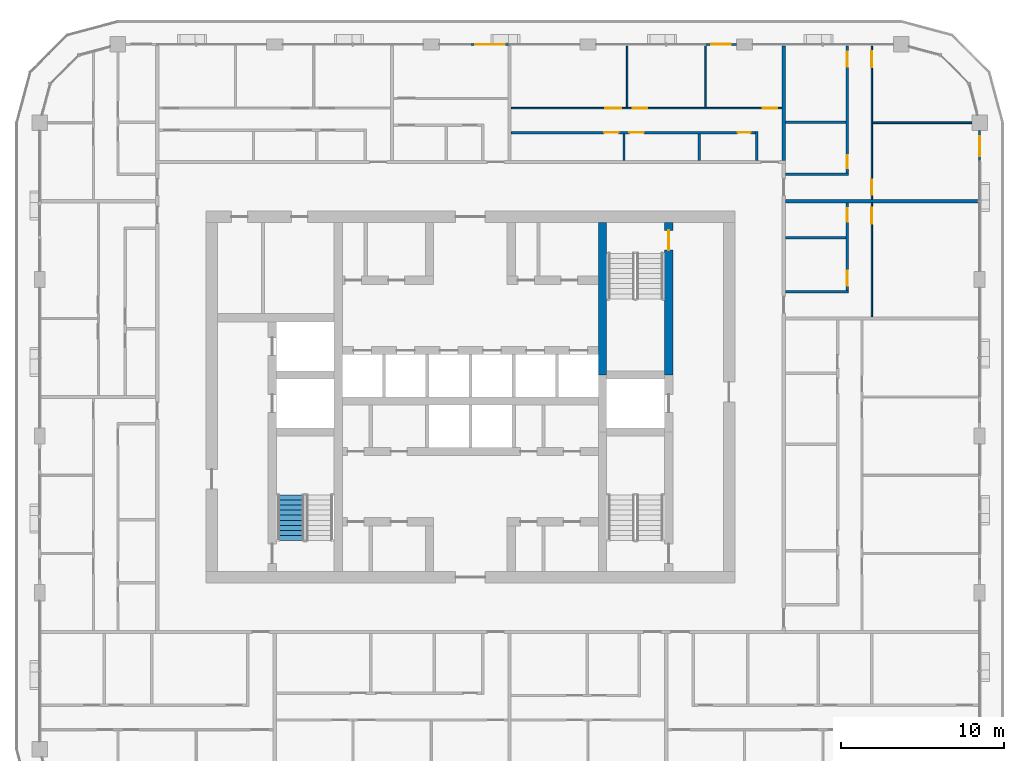
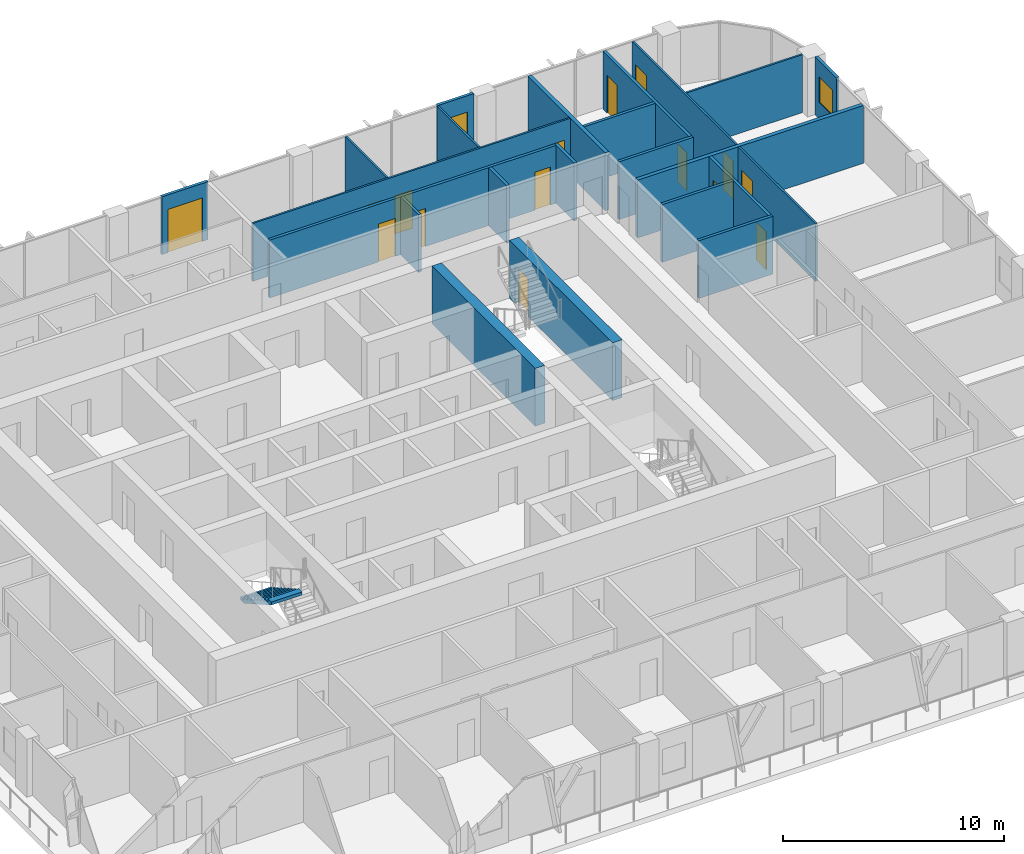
# One storey, part 15 of 22: 23 walls, 15 doors, 2 windows, 1 stair flight, 17 openings, 1 element without a shape of its own.
"""IFC4 building model written with IfcOpenShell, lengths in metres."""

from ifc_helpers import new_model, si_unit, direction, frame, frame_2d, origin, place, context, subcontext, project, spatial, polyline, rectangle, outline, extrude, material, layer, layer_set, type_object, element, fill, aggregate, save


model = new_model("IFC4")

# Units and contexts
model_context = context("Model", 3, precision=1e-05, world=origin(), true_north=direction((0.0, 1.0)))
body_context = subcontext(model_context, "Body", "Model", "MODEL_VIEW")
ifc_project = project(units=[si_unit("LENGTHUNIT", "METRE"), si_unit("AREAUNIT", "SQUARE_METRE"), si_unit("VOLUMEUNIT", "CUBIC_METRE"), si_unit("PLANEANGLEUNIT", "RADIAN"), si_unit("MASSUNIT", "GRAM", prefix="KILO")], contexts=[model_context])

# Site, building, storey
site_placement = place(None, origin())
site = spatial("IfcSite", under=ifc_project, at=site_placement, CompositionType="ELEMENT")
building_placement = place(site_placement, origin())
building = spatial("IfcBuilding", under=site, at=building_placement, Name="Madar Terraces", CompositionType="ELEMENT")
storey_placement = place(building_placement, frame((0.0, 0.0, 178.89990234375)))
storey = spatial("IfcBuildingStorey", under=building, at=storey_placement, Name="L46", CompositionType="ELEMENT", Elevation=178.89990234375)

# Wall
ifc_material_1 = material(Name="Concrete C60/75", Category="concrete")
ifc_layer_1 = layer(ifc_material_1, 0.5)
ifc_layer_set_1 = layer_set([ifc_layer_1], Name="Concrete C60/75 (CIW4 RC wall 500)")
wall_type_1 = type_object("IfcWallType", Name="CIW4 RC wall 500", PredefinedType="SHEAR", material=ifc_layer_set_1)
wall_1_placement = place(storey_placement, frame((39.300048828125, 27.75, 0.0), z_axis=(0.0, 0.0, 1.0), x_axis=(0.0, 1.0, 0.0)))
element("IfcWall", 1, at=wall_1_placement, inside=storey, type_object=wall_type_1, Name="CORE SHAFT WALL", PredefinedType="SHEAR", context=body_context, shape_type="SweptSolid", body=[
    extrude(rectangle(XDim=9.35009765625, YDim=0.5, at=frame_2d((4.675048828125, 0.0))), origin(), (0.0, 0.0, 1.0), 3.2001953125),
])

# Wall, opening, door
wall_2_placement = place(storey_placement, frame((43.35009765625, 27.75, 0.0), z_axis=(0.0, 0.0, 1.0), x_axis=(0.0, 1.0, 0.0)))
wall_2 = element("IfcWall", 2, at=wall_2_placement, inside=storey, type_object=wall_type_1, Name="CORE SHAFT WALL", PredefinedType="SHEAR", context=body_context, shape_type="SweptSolid", body=[
    extrude(rectangle(XDim=9.35009765625, YDim=0.5, at=frame_2d((4.675048828125, 0.0))), origin(), (0.0, 0.0, 1.0), 3.2001953125),
])
opening_1_placement = place(wall_2_placement, frame((7.64990234375, 0.0, 0.0)))
opening_1 = element("IfcOpeningElement", 3, at=opening_1_placement, cuts=wall_2, Name="Opening SD1", PredefinedType="OPENING", context=body_context, shape_type="SweptSolid", body=[
    extrude(rectangle(XDim=1.199951171875, YDim=2.10009765625, at=frame_2d((0.60009765625, 1.050048828125))), frame((0.0, 0.260009765625, 0.0), z_axis=(0.0, -1.0, 0.0), x_axis=(1.0, 0.0, 0.0)), (0.0, 0.0, 1.0), 0.52001953125),
])
ifc_material_2 = material(Name="Steel door leaf", Category="steel")
door_type_1 = type_object("IfcDoorType", Name="Stair door 1200 x 2100", OperationType="NOTDEFINED", PredefinedType="DOOR", material=ifc_material_2)
door_1_placement = place(opening_1_placement, origin())
door_1 = element("IfcDoor", 4, at=door_1_placement, inside=storey, type_object=door_type_1, Name="STAIR DOOR", OperationType="SINGLE_SWING_RIGHT", OverallHeight=2.10009765625, OverallWidth=1.199951171875, PredefinedType="DOOR", context=body_context, shape_type="SweptSolid", body=[
    extrude(rectangle(XDim=1.199951171875, YDim=2.10009765625, at=frame_2d((0.60009765625, 1.050048828125))), frame((0.0, 0.02490234375, 0.0), z_axis=(0.0, -1.0, 0.0), x_axis=(1.0, 0.0, 0.0)), (0.0, 0.0, 1.0), 0.050048828125),
])
fill(opening_1, door_1)

# Wall, opening, window
ifc_material_3 = material(Name="Aluminium composite panel, black, over insulated backing", Category="aluminium")
ifc_layer_2 = layer(ifc_material_3, 0.14990234375)
ifc_layer_set_2 = layer_set([ifc_layer_2], Name="Facade bay panel 150")
wall_type_2 = type_object("IfcWallType", Name="Facade bay panel 150", PredefinedType="SOLIDWALL", material=ifc_layer_set_2)
wall_3_placement = place(storey_placement, frame((62.39990234375, 40.800048828125, 0.0), z_axis=(0.0, 0.0, 1.0), x_axis=(0.0, 1.0, 0.0)))
wall_3 = element("IfcWall", 5, at=wall_3_placement, inside=storey, type_object=wall_type_2, Name="Facade bay panel", PredefinedType="SOLIDWALL", context=body_context, shape_type="SweptSolid", body=[
    extrude(rectangle(XDim=1.925048828125, YDim=0.14990234375, at=frame_2d((0.96240234375, 0.0))), origin(), (0.0, 0.0, 1.0), 3.2001953125),
])
opening_2_placement = place(wall_3_placement, frame((0.362548828125, 0.0, 0.89990234375)))
opening_2 = element("IfcOpeningElement", 6, at=opening_2_placement, cuts=wall_3, Name="Opening W1", PredefinedType="OPENING", context=body_context, shape_type="SweptSolid", body=[
    extrude(rectangle(XDim=1.199951171875, YDim=1.39990234375, at=frame_2d((0.60009765625, 0.699951171875))), frame((0.0, 0.0849609375, 0.0), z_axis=(0.0, -1.0, 0.0), x_axis=(1.0, 0.0, 0.0)), (0.0, 0.0, 1.0), 0.169921875),
])
ifc_material_4 = material(Name="Glass, clear, with black aluminium frame", Category="aluminium")
window_type = type_object("IfcWindowType", Name="Vent window 1200 x 1400", PartitioningType="SINGLE_PANEL", PredefinedType="WINDOW", material=ifc_material_4)
window_1_placement = place(opening_2_placement, origin())
window_1 = element("IfcWindow", 7, at=window_1_placement, inside=storey, type_object=window_type, Name="Operable vent window", OverallHeight=1.39990234375, OverallWidth=1.199951171875, PartitioningType="SINGLE_PANEL", PredefinedType="WINDOW", context=body_context, shape_type="SweptSolid", body=[
    extrude(rectangle(XDim=1.199951171875, YDim=1.39990234375, at=frame_2d((0.60009765625, 0.699951171875))), frame((0.0, 0.030029296875, 0.0), z_axis=(0.0, -1.0, 0.0), x_axis=(1.0, 0.0, 0.0)), (0.0, 0.0, 1.0), 0.06005859375),
])
fill(opening_2, window_1)

wall_4_placement = place(storey_placement, frame((47.5, 48.0, 0.0), z_axis=(0.0, 0.0, 1.0), x_axis=(-1.0, 0.0, 0.0)))
wall_4 = element("IfcWall", 8, at=wall_4_placement, inside=storey, type_object=wall_type_2, Name="Facade bay panel", PredefinedType="SOLIDWALL", context=body_context, shape_type="SweptSolid", body=[
    extrude(rectangle(XDim=1.89990234375, YDim=0.14990234375, at=frame_2d((0.949951171875, 0.0))), origin(), (0.0, 0.0, 1.0), 3.2001953125),
])
opening_3_placement = place(wall_4_placement, frame((0.35009765625, 0.0, 0.89990234375)))
opening_3 = element("IfcOpeningElement", 9, at=opening_3_placement, cuts=wall_4, Name="Opening W1", PredefinedType="OPENING", context=body_context, shape_type="SweptSolid", body=[
    extrude(rectangle(XDim=1.199951171875, YDim=1.39990234375, at=frame_2d((0.60009765625, 0.699951171875))), frame((0.0, 0.0849609375, 0.0), z_axis=(0.0, -1.0, 0.0), x_axis=(1.0, 0.0, 0.0)), (0.0, 0.0, 1.0), 0.169921875),
])
window_2_placement = place(opening_3_placement, origin())
window_2 = element("IfcWindow", 10, at=window_2_placement, inside=storey, type_object=window_type, Name="Operable vent window", OverallHeight=1.39990234375, OverallWidth=1.199951171875, PartitioningType="SINGLE_PANEL", PredefinedType="WINDOW", context=body_context, shape_type="SweptSolid", body=[
    extrude(rectangle(XDim=1.199951171875, YDim=1.39990234375, at=frame_2d((0.60009765625, 0.699951171875))), frame((0.0, 0.030029296875, 0.0), z_axis=(0.0, -1.0, 0.0), x_axis=(1.0, 0.0, 0.0)), (0.0, 0.0, 1.0), 0.06005859375),
])
fill(opening_3, window_2)

# Wall, opening, door
wall_5_placement = place(storey_placement, frame((33.60009765625, 48.0, 0.0), z_axis=(0.0, 0.0, 1.0), x_axis=(-1.0, 0.0, 0.0)))
wall_5 = element("IfcWall", 11, at=wall_5_placement, inside=storey, type_object=wall_type_2, Name="Facade bay panel", PredefinedType="SOLIDWALL", context=body_context, shape_type="SweptSolid", body=[
    extrude(rectangle(XDim=2.400146484375, YDim=0.14990234375, at=frame_2d((1.2001953125, 0.0))), origin(), (0.0, 0.0, 1.0), 3.2001953125),
])
opening_4_placement = place(wall_5_placement, frame((0.300048828125, 0.0, 0.0)))
opening_4 = element("IfcOpeningElement", 12, at=opening_4_placement, cuts=wall_5, Name="Opening ED1", PredefinedType="OPENING", context=body_context, shape_type="SweptSolid", body=[
    extrude(rectangle(XDim=1.800048828125, YDim=2.39990234375, at=frame_2d((0.89990234375, 1.199951171875))), frame((0.0, 0.0849609375, 0.0), z_axis=(0.0, -1.0, 0.0), x_axis=(1.0, 0.0, 0.0)), (0.0, 0.0, 1.0), 0.169921875),
])
ifc_material_5 = material(Name="Glass, clear, with black aluminium frame", Category="aluminium")
door_type_2 = type_object("IfcDoorType", Name="Balcony and terrace sliding door 1800 x 2400", OperationType="SLIDING_TO_LEFT", PredefinedType="DOOR", material=ifc_material_5)
door_2_placement = place(opening_4_placement, origin())
door_2 = element("IfcDoor", 13, at=door_2_placement, inside=storey, type_object=door_type_2, Name="Balcony door", OperationType="SLIDING_TO_LEFT", OverallHeight=2.39990234375, OverallWidth=1.800048828125, PredefinedType="DOOR", context=body_context, shape_type="SweptSolid", body=[
    extrude(rectangle(XDim=1.800048828125, YDim=2.39990234375, at=frame_2d((0.89990234375, 1.199951171875))), frame((0.0, 0.02490234375, 0.0), z_axis=(0.0, -1.0, 0.0), x_axis=(1.0, 0.0, 0.0)), (0.0, 0.0, 1.0), 0.050048828125),
])
fill(opening_4, door_2)

ifc_material_6 = material(Name="Gypsum board on steel studs", Category="steel")
ifc_layer_3 = layer(ifc_material_6, 0.10009765625)
ifc_layer_set_3 = layer_set([ifc_layer_3], Name="Flat partition 100")
wall_type_3 = type_object("IfcWallType", Name="Flat partition 100", PredefinedType="PARTITIONING", material=ifc_layer_set_3)
wall_6_placement = place(storey_placement, frame((55.800048828125, 38.300048828125, 0.0), z_axis=(0.0, 0.0, 1.0), x_axis=(0.0, -1.0, 0.0)))
wall_6 = element("IfcWall", 14, at=wall_6_placement, inside=storey, type_object=wall_type_3, Name="Flat partition 100", PredefinedType="PARTITIONING", context=body_context, shape_type="SweptSolid", body=[
    extrude(rectangle(XDim=7.0, YDim=0.10009765625, at=frame_2d((3.5, 0.0))), origin(), (0.0, 0.0, 1.0), 3.2001953125),
])
opening_5_placement = place(wall_6_placement, frame((0.300048828125, 0.0, 0.0)))
opening_5 = element("IfcOpeningElement", 15, at=opening_5_placement, cuts=wall_6, Name="Opening D3", PredefinedType="OPENING", context=body_context, shape_type="SweptSolid", body=[
    extrude(rectangle(XDim=1.0, YDim=2.10009765625, at=frame_2d((0.5, 1.050048828125))), frame((0.0, 0.06005859375, 0.0), z_axis=(0.0, -1.0, 0.0), x_axis=(1.0, 0.0, 0.0)), (0.0, 0.0, 1.0), 0.1201171875),
])
ifc_material_7 = material(Name="Timber door leaf", Category="wood")
door_type_3 = type_object("IfcDoorType", Name="Flat living room door 1000", OperationType="NOTDEFINED", PredefinedType="DOOR", material=ifc_material_7)
door_3_placement = place(opening_5_placement, origin())
door_3 = element("IfcDoor", 16, at=door_3_placement, inside=storey, type_object=door_type_3, Name="Flat living room door 1000", OperationType="SINGLE_SWING_LEFT", OverallHeight=2.10009765625, OverallWidth=1.0, PredefinedType="DOOR", context=body_context, shape_type="SweptSolid", body=[
    extrude(rectangle(XDim=1.0, YDim=2.10009765625, at=frame_2d((0.5, 1.050048828125))), frame((0.0, 0.02490234375, 0.0), z_axis=(0.0, -1.0, 0.0), x_axis=(1.0, 0.0, 0.0)), (0.0, 0.0, 1.0), 0.050048828125),
])
fill(opening_5, door_3)

# Wall
wall_7_placement = place(storey_placement, frame((55.85009765625, 43.199951171875, 0.0), z_axis=(0.0, 0.0, 1.0), x_axis=(1.0, 0.0, 0.0)))
element("IfcWall", 17, at=wall_7_placement, inside=storey, type_object=wall_type_3, Name="Flat partition 100", PredefinedType="PARTITIONING", context=body_context, shape_type="SweptSolid", body=[
    extrude(rectangle(XDim=6.074951171875, YDim=0.10009765625, at=frame_2d((3.03759765625, 0.0))), origin(), (0.0, 0.0, 1.0), 3.2001953125),
])

# Wall, openings, doors
wall_8_placement = place(storey_placement, frame((55.800048828125, 47.89990234375, 0.0), z_axis=(0.0, 0.0, 1.0), x_axis=(0.0, -1.0, 0.0)))
wall_8 = element("IfcWall", 18, at=wall_8_placement, inside=storey, type_object=wall_type_3, Name="Flat partition 100", PredefinedType="PARTITIONING", context=body_context, shape_type="SweptSolid", body=[
    extrude(rectangle(XDim=9.39990234375, YDim=0.10009765625, at=frame_2d((4.699951171875, 0.0))), origin(), (0.0, 0.0, 1.0), 3.2001953125),
])
opening_6_placement = place(wall_8_placement, frame((8.199951171875, 0.0, 0.0)))
opening_6 = element("IfcOpeningElement", 19, at=opening_6_placement, cuts=wall_8, Name="Opening D2", PredefinedType="OPENING", context=body_context, shape_type="SweptSolid", body=[
    extrude(rectangle(XDim=0.89990234375, YDim=2.10009765625, at=frame_2d((0.449951171875, 1.050048828125))), frame((0.0, 0.06005859375, 0.0), z_axis=(0.0, -1.0, 0.0), x_axis=(1.0, 0.0, 0.0)), (0.0, 0.0, 1.0), 0.1201171875),
])
opening_7_placement = place(wall_8_placement, frame((0.300048828125, 0.0, 0.0)))
opening_7 = element("IfcOpeningElement", 20, at=opening_7_placement, cuts=wall_8, Name="Opening D3", PredefinedType="OPENING", context=body_context, shape_type="SweptSolid", body=[
    extrude(rectangle(XDim=1.0, YDim=2.10009765625, at=frame_2d((0.5, 1.050048828125))), frame((0.0, 0.06005859375, 0.0), z_axis=(0.0, -1.0, 0.0), x_axis=(1.0, 0.0, 0.0)), (0.0, 0.0, 1.0), 0.1201171875),
])
door_4_placement = place(opening_7_placement, origin())
door_4 = element("IfcDoor", 21, at=door_4_placement, inside=storey, type_object=door_type_3, Name="Flat living room door 1000", OperationType="SINGLE_SWING_LEFT", OverallHeight=2.10009765625, OverallWidth=1.0, PredefinedType="DOOR", context=body_context, shape_type="SweptSolid", body=[
    extrude(rectangle(XDim=1.0, YDim=2.10009765625, at=frame_2d((0.5, 1.050048828125))), frame((0.0, 0.02490234375, 0.0), z_axis=(0.0, -1.0, 0.0), x_axis=(1.0, 0.0, 0.0)), (0.0, 0.0, 1.0), 0.050048828125),
])
fill(opening_7, door_4)
ifc_material_8 = material(Name="Timber door leaf", Category="wood")
door_type_4 = type_object("IfcDoorType", Name="Flat room door 900", OperationType="NOTDEFINED", PredefinedType="DOOR", material=ifc_material_8)
door_5_placement = place(opening_6_placement, origin())
door_5 = element("IfcDoor", 22, at=door_5_placement, inside=storey, type_object=door_type_4, Name="Flat room door 900", OperationType="SINGLE_SWING_RIGHT", OverallHeight=2.10009765625, OverallWidth=0.89990234375, PredefinedType="DOOR", context=body_context, shape_type="SweptSolid", body=[
    extrude(rectangle(XDim=0.89990234375, YDim=2.10009765625, at=frame_2d((0.449951171875, 1.050048828125))), frame((0.0, 0.02490234375, 0.0), z_axis=(0.0, -1.0, 0.0), x_axis=(1.0, 0.0, 0.0)), (0.0, 0.0, 1.0), 0.050048828125),
])
fill(opening_6, door_5)

# Walls
for number, where, z_axis, x_axis, name in (
    (23, (45.60009765625, 44.14990234375, 0.0), (0.0, 0.0, 1.0), (0.0, 1.0, 0.0), "Flat partition 100"),
    (24, (40.800048828125, 44.14990234375, 0.0), (0.0, 0.0, 1.0), (0.0, 1.0, 0.0), "Flat partition 100"),
):
    element("IfcWall", number, at=place(storey_placement, frame(where, z_axis=z_axis, x_axis=x_axis)), inside=storey, type_object=wall_type_3, Name=name, PredefinedType="PARTITIONING", context=body_context, shape_type="SweptSolid", body=[
        extrude(rectangle(XDim=3.75, YDim=0.10009765625, at=frame_2d((1.875, 0.0))), origin(), (0.0, 0.0, 1.0), 3.2001953125),
    ])

# Wall, openings, doors
wall_9_placement = place(storey_placement, frame((33.699951171875, 44.10009765625, 0.0), z_axis=(0.0, 0.0, 1.0), x_axis=(1.0, 0.0, 0.0)))
wall_9 = element("IfcWall", 25, at=wall_9_placement, inside=storey, type_object=wall_type_3, Name="Flat partition 100", PredefinedType="PARTITIONING", context=body_context, shape_type="SweptSolid", body=[
    extrude(rectangle(XDim=16.60009765625, YDim=0.10009765625, at=frame_2d((8.300048828125, 0.0))), origin(), (0.0, 0.0, 1.0), 3.2001953125),
])
opening_8_placement = place(wall_9_placement, frame((15.39990234375, 0.0, 0.0)))
opening_8 = element("IfcOpeningElement", 26, at=opening_8_placement, cuts=wall_9, Name="Opening D2", PredefinedType="OPENING", context=body_context, shape_type="SweptSolid", body=[
    extrude(rectangle(XDim=0.89990234375, YDim=2.10009765625, at=frame_2d((0.449951171875, 1.050048828125))), frame((0.0, 0.06005859375, 0.0), z_axis=(0.0, -1.0, 0.0), x_axis=(1.0, 0.0, 0.0)), (0.0, 0.0, 1.0), 0.1201171875),
])
opening_9_placement = place(wall_9_placement, frame((7.449951171875, 0.0, 0.0)))
opening_9 = element("IfcOpeningElement", 27, at=opening_9_placement, cuts=wall_9, Name="Opening D2", PredefinedType="OPENING", context=body_context, shape_type="SweptSolid", body=[
    extrude(rectangle(XDim=0.89990234375, YDim=2.10009765625, at=frame_2d((0.449951171875, 1.050048828125))), frame((0.0, 0.06005859375, 0.0), z_axis=(0.0, -1.0, 0.0), x_axis=(1.0, 0.0, 0.0)), (0.0, 0.0, 1.0), 0.1201171875),
])
opening_10_placement = place(wall_9_placement, frame((5.75, 0.0, 0.0)))
opening_10 = element("IfcOpeningElement", 28, at=opening_10_placement, cuts=wall_9, Name="Opening D3", PredefinedType="OPENING", context=body_context, shape_type="SweptSolid", body=[
    extrude(rectangle(XDim=1.0, YDim=2.10009765625, at=frame_2d((0.5, 1.050048828125))), frame((0.0, 0.06005859375, 0.0), z_axis=(0.0, -1.0, 0.0), x_axis=(1.0, 0.0, 0.0)), (0.0, 0.0, 1.0), 0.1201171875),
])
door_6_placement = place(opening_10_placement, origin())
door_6 = element("IfcDoor", 29, at=door_6_placement, inside=storey, type_object=door_type_3, Name="Flat living room door 1000", OperationType="SINGLE_SWING_RIGHT", OverallHeight=2.10009765625, OverallWidth=1.0, PredefinedType="DOOR", context=body_context, shape_type="SweptSolid", body=[
    extrude(rectangle(XDim=1.0, YDim=2.10009765625, at=frame_2d((0.5, 1.050048828125))), frame((0.0, 0.02490234375, 0.0), z_axis=(0.0, -1.0, 0.0), x_axis=(1.0, 0.0, 0.0)), (0.0, 0.0, 1.0), 0.050048828125),
])
fill(opening_10, door_6)
door_7_placement = place(opening_8_placement, origin())
door_7 = element("IfcDoor", 30, at=door_7_placement, inside=storey, type_object=door_type_4, Name="Flat room door 900", OperationType="SINGLE_SWING_RIGHT", OverallHeight=2.10009765625, OverallWidth=0.89990234375, PredefinedType="DOOR", context=body_context, shape_type="SweptSolid", body=[
    extrude(rectangle(XDim=0.89990234375, YDim=2.10009765625, at=frame_2d((0.449951171875, 1.050048828125))), frame((0.0, 0.02490234375, 0.0), z_axis=(0.0, -1.0, 0.0), x_axis=(1.0, 0.0, 0.0)), (0.0, 0.0, 1.0), 0.050048828125),
])
fill(opening_8, door_7)
door_8_placement = place(opening_9_placement, origin())
door_8 = element("IfcDoor", 31, at=door_8_placement, inside=storey, type_object=door_type_4, Name="Flat room door 900", OperationType="SINGLE_SWING_LEFT", OverallHeight=2.10009765625, OverallWidth=0.89990234375, PredefinedType="DOOR", context=body_context, shape_type="SweptSolid", body=[
    extrude(rectangle(XDim=0.89990234375, YDim=2.10009765625, at=frame_2d((0.449951171875, 1.050048828125))), frame((0.0, 0.02490234375, 0.0), z_axis=(0.0, -1.0, 0.0), x_axis=(1.0, 0.0, 0.0)), (0.0, 0.0, 1.0), 0.050048828125),
])
fill(opening_9, door_8)

# Walls
ifc_material_9 = material(Name="Lightweight blockwork", Category="masonry")
ifc_layer_4 = layer(ifc_material_9, 0.199951171875)
ifc_layer_set_4 = layer_set([ifc_layer_4], Name="Flat party and entrance wall 200")
wall_type_4 = type_object("IfcWallType", Name="Flat party and entrance wall 200", PredefinedType="PARTITIONING", material=ifc_layer_set_4)
wall_10_placement = place(storey_placement, frame((50.5, 38.39990234375, 0.0), z_axis=(0.0, 0.0, 1.0), x_axis=(1.0, 0.0, 0.0)))
element("IfcWall", 32, at=wall_10_placement, inside=storey, type_object=wall_type_4, Name="Flat party and entrance wall 200", PredefinedType="PARTITIONING", context=body_context, shape_type="SweptSolid", body=[
    extrude(rectangle(XDim=11.800048828125, YDim=0.199951171875, at=frame_2d((5.89990234375, 0.0))), origin(), (0.0, 0.0, 1.0), 3.2001953125),
])
wall_11_placement = place(storey_placement, frame((50.39990234375, 40.89990234375, 0.0), z_axis=(0.0, 0.0, 1.0), x_axis=(0.0, 1.0, 0.0)))
element("IfcWall", 33, at=wall_11_placement, inside=storey, type_object=wall_type_4, Name="Flat party and entrance wall 200", PredefinedType="PARTITIONING", context=body_context, shape_type="SweptSolid", body=[
    extrude(rectangle(XDim=7.0, YDim=0.199951171875, at=frame_2d((3.5, 0.0))), origin(), (0.0, 0.0, 1.0), 3.2001953125),
])
ifc_material_10 = material(Name="Lightweight blockwork", Category="masonry")
ifc_layer_5 = layer(ifc_material_10, 0.14990234375)
ifc_layer_set_5 = layer_set([ifc_layer_5], Name="Flat wet-room partition 150")
wall_type_5 = type_object("IfcWallType", Name="Flat wet-room partition 150", PredefinedType="PARTITIONING", material=ifc_layer_set_5)
wall_12_placement = place(storey_placement, frame((50.5, 36.14990234375, 0.0), z_axis=(0.0, 0.0, 1.0), x_axis=(1.0, 0.0, 0.0)))
element("IfcWall", 34, at=wall_12_placement, inside=storey, type_object=wall_type_5, Name="Flat wet-room partition 150", PredefinedType="PARTITIONING", context=body_context, shape_type="SweptSolid", body=[
    extrude(rectangle(XDim=3.72509765625, YDim=0.14990234375, at=frame_2d((1.862548828125, 0.0))), origin(), (0.0, 0.0, 1.0), 3.2001953125),
])
wall_13_placement = place(storey_placement, frame((50.5, 32.85009765625, 0.0), z_axis=(0.0, 0.0, 1.0), x_axis=(1.0, 0.0, 0.0)))
element("IfcWall", 35, at=wall_13_placement, inside=storey, type_object=wall_type_5, Name="Flat wet-room partition 150", PredefinedType="PARTITIONING", context=body_context, shape_type="SweptSolid", body=[
    extrude(rectangle(XDim=3.875, YDim=0.14990234375, at=frame_2d((1.9375, 0.0))), origin(), (0.0, 0.0, 1.0), 3.2001953125),
])

# Wall, openings, doors
wall_14_placement = place(storey_placement, frame((54.300048828125, 32.925048828125, 0.0), z_axis=(0.0, 0.0, 1.0), x_axis=(0.0, 1.0, 0.0)))
wall_14 = element("IfcWall", 36, at=wall_14_placement, inside=storey, type_object=wall_type_5, Name="Flat wet-room partition 150", PredefinedType="PARTITIONING", context=body_context, shape_type="SweptSolid", body=[
    extrude(rectangle(XDim=5.375, YDim=0.14990234375, at=frame_2d((2.6875, 0.0))), origin(), (0.0, 0.0, 1.0), 3.2001953125),
])
opening_11_placement = place(wall_14_placement, frame((0.300048828125, 0.0, 0.0)))
opening_11 = element("IfcOpeningElement", 37, at=opening_11_placement, cuts=wall_14, Name="Opening D2", PredefinedType="OPENING", context=body_context, shape_type="SweptSolid", body=[
    extrude(rectangle(XDim=0.89990234375, YDim=2.10009765625, at=frame_2d((0.449951171875, 1.050048828125))), frame((0.0, 0.0849609375, 0.0), z_axis=(0.0, -1.0, 0.0), x_axis=(1.0, 0.0, 0.0)), (0.0, 0.0, 1.0), 0.169921875),
])
opening_12_placement = place(wall_14_placement, frame((4.22509765625, 0.0, 0.0)))
opening_12 = element("IfcOpeningElement", 38, at=opening_12_placement, cuts=wall_14, Name="Opening D4", PredefinedType="OPENING", context=body_context, shape_type="SweptSolid", body=[
    extrude(rectangle(XDim=0.800048828125, YDim=2.10009765625, at=frame_2d((0.39990234375, 1.050048828125))), frame((0.0, 0.0849609375, 0.0), z_axis=(0.0, -1.0, 0.0), x_axis=(1.0, 0.0, 0.0)), (0.0, 0.0, 1.0), 0.169921875),
])
ifc_material_11 = material(Name="Timber door leaf", Category="wood")
door_type_5 = type_object("IfcDoorType", Name="Flat bathroom door 800", OperationType="NOTDEFINED", PredefinedType="DOOR", material=ifc_material_11)
door_9_placement = place(opening_12_placement, origin())
door_9 = element("IfcDoor", 39, at=door_9_placement, inside=storey, type_object=door_type_5, Name="Flat bathroom door 800", OperationType="SINGLE_SWING_RIGHT", OverallHeight=2.10009765625, OverallWidth=0.800048828125, PredefinedType="DOOR", context=body_context, shape_type="SweptSolid", body=[
    extrude(rectangle(XDim=0.800048828125, YDim=2.10009765625, at=frame_2d((0.39990234375, 1.050048828125))), frame((0.0, 0.02490234375, 0.0), z_axis=(0.0, -1.0, 0.0), x_axis=(1.0, 0.0, 0.0)), (0.0, 0.0, 1.0), 0.050048828125),
])
fill(opening_12, door_9)
door_10_placement = place(opening_11_placement, origin())
door_10 = element("IfcDoor", 40, at=door_10_placement, inside=storey, type_object=door_type_4, Name="Flat room door 900", OperationType="SINGLE_SWING_LEFT", OverallHeight=2.10009765625, OverallWidth=0.89990234375, PredefinedType="DOOR", context=body_context, shape_type="SweptSolid", body=[
    extrude(rectangle(XDim=0.89990234375, YDim=2.10009765625, at=frame_2d((0.449951171875, 1.050048828125))), frame((0.0, 0.02490234375, 0.0), z_axis=(0.0, -1.0, 0.0), x_axis=(1.0, 0.0, 0.0)), (0.0, 0.0, 1.0), 0.050048828125),
])
fill(opening_11, door_10)

# Walls
wall_15_placement = place(storey_placement, frame((50.5, 43.235107421875, 0.0), z_axis=(0.0, 0.0, 1.0), x_axis=(1.0, 0.0, 0.0)))
element("IfcWall", 41, at=wall_15_placement, inside=storey, type_object=wall_type_5, Name="Flat wet-room partition 150", PredefinedType="PARTITIONING", context=body_context, shape_type="SweptSolid", body=[
    extrude(rectangle(XDim=3.72509765625, YDim=0.14990234375, at=frame_2d((1.862548828125, 0.0))), origin(), (0.0, 0.0, 1.0), 3.2001953125),
])
wall_16_placement = place(storey_placement, frame((50.5, 40.050048828125, 0.0), z_axis=(0.0, 0.0, 1.0), x_axis=(1.0, 0.0, 0.0)))
element("IfcWall", 42, at=wall_16_placement, inside=storey, type_object=wall_type_5, Name="Flat wet-room partition 150", PredefinedType="PARTITIONING", context=body_context, shape_type="SweptSolid", body=[
    extrude(rectangle(XDim=3.875, YDim=0.14990234375, at=frame_2d((1.9375, 0.0))), origin(), (0.0, 0.0, 1.0), 3.2001953125),
])

# Wall, openings, doors
wall_17_placement = place(storey_placement, frame((54.300048828125, 40.125, 0.0), z_axis=(0.0, 0.0, 1.0), x_axis=(0.0, 1.0, 0.0)))
wall_17 = element("IfcWall", 43, at=wall_17_placement, inside=storey, type_object=wall_type_5, Name="Flat wet-room partition 150", PredefinedType="PARTITIONING", context=body_context, shape_type="SweptSolid", body=[
    extrude(rectangle(XDim=7.77490234375, YDim=0.14990234375, at=frame_2d((3.887451171875, 0.0))), origin(), (0.0, 0.0, 1.0), 3.2001953125),
])
opening_13_placement = place(wall_17_placement, frame((0.300048828125, 0.0, 0.0)))
opening_13 = element("IfcOpeningElement", 44, at=opening_13_placement, cuts=wall_17, Name="Opening D4", PredefinedType="OPENING", context=body_context, shape_type="SweptSolid", body=[
    extrude(rectangle(XDim=0.800048828125, YDim=2.10009765625, at=frame_2d((0.39990234375, 1.050048828125))), frame((0.0, 0.0849609375, 0.0), z_axis=(0.0, -1.0, 0.0), x_axis=(1.0, 0.0, 0.0)), (0.0, 0.0, 1.0), 0.169921875),
])
opening_14_placement = place(wall_17_placement, frame((6.52490234375, 0.0, 0.0)))
opening_14 = element("IfcOpeningElement", 45, at=opening_14_placement, cuts=wall_17, Name="Opening D2", PredefinedType="OPENING", context=body_context, shape_type="SweptSolid", body=[
    extrude(rectangle(XDim=0.89990234375, YDim=2.10009765625, at=frame_2d((0.449951171875, 1.050048828125))), frame((0.0, 0.0849609375, 0.0), z_axis=(0.0, -1.0, 0.0), x_axis=(1.0, 0.0, 0.0)), (0.0, 0.0, 1.0), 0.169921875),
])
door_11_placement = place(opening_13_placement, origin())
door_11 = element("IfcDoor", 46, at=door_11_placement, inside=storey, type_object=door_type_5, Name="Flat bathroom door 800", OperationType="SINGLE_SWING_LEFT", OverallHeight=2.10009765625, OverallWidth=0.800048828125, PredefinedType="DOOR", context=body_context, shape_type="SweptSolid", body=[
    extrude(rectangle(XDim=0.800048828125, YDim=2.10009765625, at=frame_2d((0.39990234375, 1.050048828125))), frame((0.0, 0.02490234375, 0.0), z_axis=(0.0, -1.0, 0.0), x_axis=(1.0, 0.0, 0.0)), (0.0, 0.0, 1.0), 0.050048828125),
])
fill(opening_13, door_11)
door_12_placement = place(opening_14_placement, origin())
door_12 = element("IfcDoor", 47, at=door_12_placement, inside=storey, type_object=door_type_4, Name="Flat room door 900", OperationType="SINGLE_SWING_RIGHT", OverallHeight=2.10009765625, OverallWidth=0.89990234375, PredefinedType="DOOR", context=body_context, shape_type="SweptSolid", body=[
    extrude(rectangle(XDim=0.89990234375, YDim=2.10009765625, at=frame_2d((0.449951171875, 1.050048828125))), frame((0.0, 0.02490234375, 0.0), z_axis=(0.0, -1.0, 0.0), x_axis=(1.0, 0.0, 0.0)), (0.0, 0.0, 1.0), 0.050048828125),
])
fill(opening_14, door_12)

# Walls
for number, where, z_axis, x_axis, name in (
    (48, (45.21923828125, 40.89990234375, 0.0), (0.0, 0.0, 1.0), (0.0, 1.0, 0.0), "Flat wet-room partition 150"),
    (49, (40.611572265625, 40.89990234375, 0.0), (0.0, 0.0, 1.0), (0.0, 1.0, 0.0), "Flat wet-room partition 150"),
):
    element("IfcWall", number, at=place(storey_placement, frame(where, z_axis=z_axis, x_axis=x_axis)), inside=storey, type_object=wall_type_5, Name=name, PredefinedType="PARTITIONING", context=body_context, shape_type="SweptSolid", body=[
        extrude(rectangle(XDim=1.625, YDim=0.14990234375, at=frame_2d((0.8125, 0.0))), origin(), (0.0, 0.0, 1.0), 3.2001953125),
    ])
wall_18_placement = place(storey_placement, frame((48.75, 40.89990234375, 0.0), z_axis=(0.0, 0.0, 1.0), x_axis=(0.0, 1.0, 0.0)))
element("IfcWall", 50, at=wall_18_placement, inside=storey, type_object=wall_type_5, Name="Flat wet-room partition 150", PredefinedType="PARTITIONING", context=body_context, shape_type="SweptSolid", body=[
    extrude(rectangle(XDim=1.775146484375, YDim=0.14990234375, at=frame_2d((0.8876953125, 0.0))), origin(), (0.0, 0.0, 1.0), 3.2001953125),
])

# Wall, openings, doors
wall_19_placement = place(storey_placement, frame((48.675048828125, 42.60009765625, 0.0), z_axis=(0.0, 0.0, 1.0), x_axis=(-1.0, 0.0, 0.0)))
wall_19 = element("IfcWall", 51, at=wall_19_placement, inside=storey, type_object=wall_type_5, Name="Flat wet-room partition 150", PredefinedType="PARTITIONING", context=body_context, shape_type="SweptSolid", body=[
    extrude(rectangle(XDim=14.97509765625, YDim=0.14990234375, at=frame_2d((7.487548828125, 0.0))), origin(), (0.0, 0.0, 1.0), 3.2001953125),
])
opening_15_placement = place(wall_19_placement, frame((0.300048828125, 0.0, 0.0)))
opening_15 = element("IfcOpeningElement", 52, at=opening_15_placement, cuts=wall_19, Name="Opening D4", PredefinedType="OPENING", context=body_context, shape_type="SweptSolid", body=[
    extrude(rectangle(XDim=0.800048828125, YDim=2.10009765625, at=frame_2d((0.39990234375, 1.050048828125))), frame((0.0, 0.0849609375, 0.0), z_axis=(0.0, -1.0, 0.0), x_axis=(1.0, 0.0, 0.0)), (0.0, 0.0, 1.0), 0.169921875),
])
opening_16_placement = place(wall_19_placement, frame((6.83837890625, 0.0, 0.0)))
opening_16 = element("IfcOpeningElement", 53, at=opening_16_placement, cuts=wall_19, Name="Opening D5", PredefinedType="OPENING", context=body_context, shape_type="SweptSolid", body=[
    extrude(rectangle(XDim=0.89990234375, YDim=2.10009765625, at=frame_2d((0.449951171875, 1.050048828125))), frame((0.0, 0.0849609375, 0.0), z_axis=(0.0, -1.0, 0.0), x_axis=(1.0, 0.0, 0.0)), (0.0, 0.0, 1.0), 0.169921875),
])
opening_17_placement = place(wall_19_placement, frame((8.388427734375, 0.0, 0.0)))
opening_17 = element("IfcOpeningElement", 54, at=opening_17_placement, cuts=wall_19, Name="Opening D2", PredefinedType="OPENING", context=body_context, shape_type="SweptSolid", body=[
    extrude(rectangle(XDim=0.89990234375, YDim=2.10009765625, at=frame_2d((0.449951171875, 1.050048828125))), frame((0.0, 0.0849609375, 0.0), z_axis=(0.0, -1.0, 0.0), x_axis=(1.0, 0.0, 0.0)), (0.0, 0.0, 1.0), 0.169921875),
])
ifc_material_12 = material(Name="Timber door leaf", Category="wood")
door_type_6 = type_object("IfcDoorType", Name="Flat accessible bathroom door 900", OperationType="NOTDEFINED", PredefinedType="DOOR", material=ifc_material_12)
door_13_placement = place(opening_16_placement, origin())
door_13 = element("IfcDoor", 55, at=door_13_placement, inside=storey, type_object=door_type_6, Name="Flat accessible bathroom door 900", OperationType="SINGLE_SWING_RIGHT", OverallHeight=2.10009765625, OverallWidth=0.89990234375, PredefinedType="DOOR", context=body_context, shape_type="SweptSolid", body=[
    extrude(rectangle(XDim=0.89990234375, YDim=2.10009765625, at=frame_2d((0.449951171875, 1.050048828125))), frame((0.0, 0.02490234375, 0.0), z_axis=(0.0, -1.0, 0.0), x_axis=(1.0, 0.0, 0.0)), (0.0, 0.0, 1.0), 0.050048828125),
])
fill(opening_16, door_13)
door_14_placement = place(opening_15_placement, origin())
door_14 = element("IfcDoor", 56, at=door_14_placement, inside=storey, type_object=door_type_5, Name="Flat bathroom door 800", OperationType="SINGLE_SWING_LEFT", OverallHeight=2.10009765625, OverallWidth=0.800048828125, PredefinedType="DOOR", context=body_context, shape_type="SweptSolid", body=[
    extrude(rectangle(XDim=0.800048828125, YDim=2.10009765625, at=frame_2d((0.39990234375, 1.050048828125))), frame((0.0, 0.02490234375, 0.0), z_axis=(0.0, -1.0, 0.0), x_axis=(1.0, 0.0, 0.0)), (0.0, 0.0, 1.0), 0.050048828125),
])
fill(opening_15, door_14)
door_15_placement = place(opening_17_placement, origin())
door_15 = element("IfcDoor", 57, at=door_15_placement, inside=storey, type_object=door_type_4, Name="Flat room door 900", OperationType="SINGLE_SWING_LEFT", OverallHeight=2.10009765625, OverallWidth=0.89990234375, PredefinedType="DOOR", context=body_context, shape_type="SweptSolid", body=[
    extrude(rectangle(XDim=0.89990234375, YDim=2.10009765625, at=frame_2d((0.449951171875, 1.050048828125))), frame((0.0, 0.02490234375, 0.0), z_axis=(0.0, -1.0, 0.0), x_axis=(1.0, 0.0, 0.0)), (0.0, 0.0, 1.0), 0.050048828125),
])
fill(opening_17, door_15)

# Stair, stair flight
ifc_material_13 = material(Name="Concrete C50/60", Category="concrete")
stair_type = type_object("IfcStairType", Name="Stair ST1 protected exit", PredefinedType="HALF_TURN_STAIR", material=ifc_material_13)
stair_placement = place(storey_placement, origin())
stair = element("IfcStair", 58, at=stair_placement, inside=storey, type_object=stair_type, Name="L46 Protected Exit Stair ST1", PredefinedType="HALF_TURN_STAIR")
ifc_material_14 = material(Name="Concrete C50/60", Category="concrete")
stair_flight_type = type_object("IfcStairFlightType", Name="Stair flight ST1-F4, 1600 wide, 10 risers", PredefinedType="STRAIGHT", material=ifc_material_14)
stair_flight_placement = place(storey_placement, frame((20.199951171875, 20.389892578125, 1.75), z_axis=(0.0, 0.0, 1.0), x_axis=(0.0, -1.0, 0.0)))
stair_flight = element("IfcStairFlight", 59, at=stair_flight_placement, type_object=stair_flight_type, Name="ST1 flight 2", NumberOfRisers=10, NumberOfTreads=9, PredefinedType="STRAIGHT", RiserHeight=0.175, TreadLength=0.31, context=body_context, shape_type="SweptSolid", body=[
    extrude(outline(polyline([(0.0, 0.0), (0.0, 0.175048828125), (0.31005859375, 0.175048828125), (0.31005859375, 0.35009765625), (0.6201171875, 0.35009765625), (0.6201171875, 0.52490234375), (0.929931640625, 0.52490234375), (0.929931640625, 0.699951171875), (1.239990234375, 0.699951171875), (1.239990234375, 0.875), (1.550048828125, 0.875), (1.550048828125, 1.050048828125), (1.860107421875, 1.050048828125), (1.860107421875, 1.22509765625), (2.169921875, 1.22509765625), (2.169921875, 1.39990234375), (2.47998046875, 1.39990234375), (2.47998046875, 1.574951171875), (2.7900390625, 1.574951171875), (2.7900390625, 1.75), (2.7900390625, 1.40283203125), (0.304931640625, 0.0), (0.0, 0.0)])), frame((0.0, 0.800048828125, 0.0), z_axis=(0.0, -1.0, 0.0), x_axis=(1.0, 0.0, 0.0)), (0.0, 0.0, 1.0), 1.60009765625),
])
aggregate(stair, [stair_flight])

save(model, "model.ifc")
